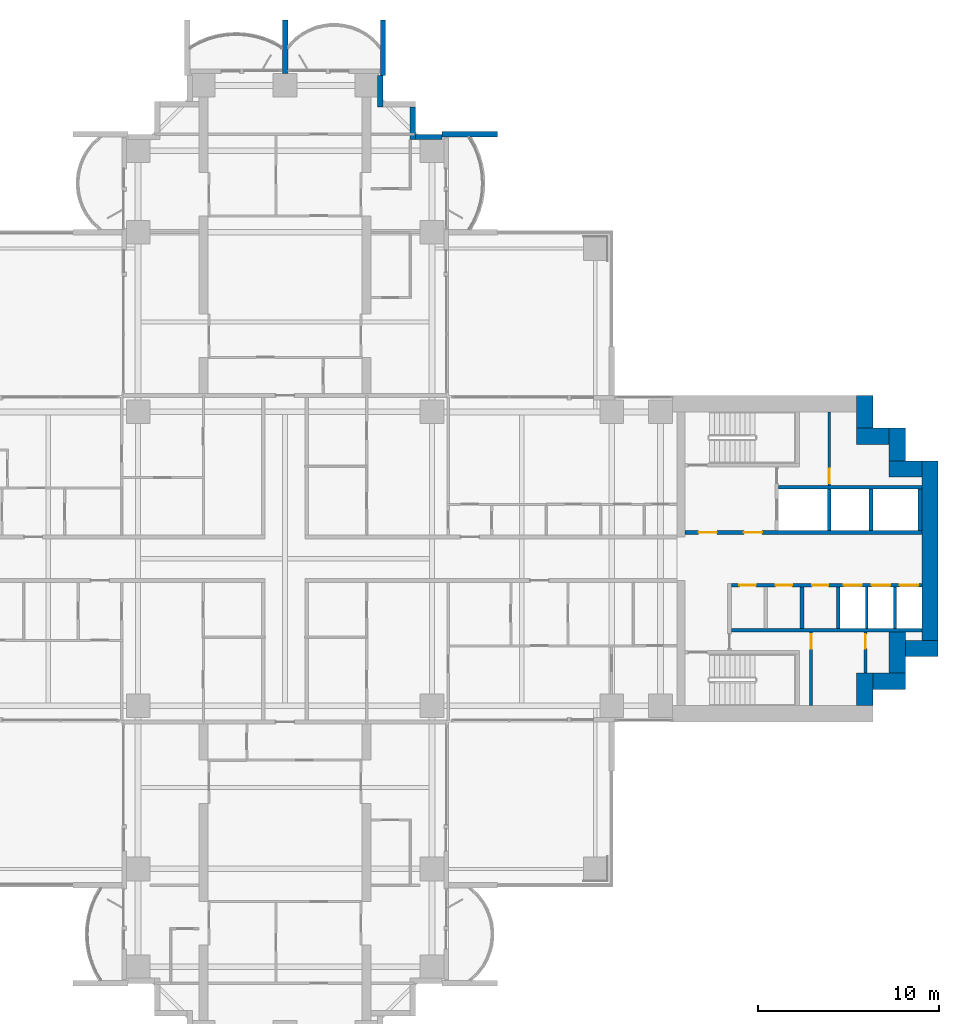
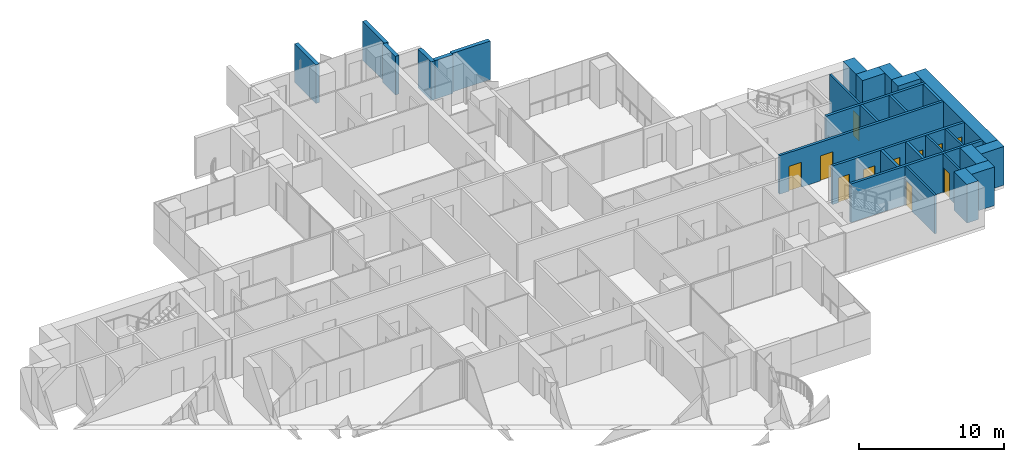
# One storey, part 16 of 21: 29 walls, 11 doors, 11 openings.
"""IFC4 building model written with IfcOpenShell, lengths in metres."""

from ifc_helpers import new_model, si_unit, direction, frame, frame_2d, origin, place, context, subcontext, project, spatial, rectangle, extrude, material, layer, layer_set, type_object, element, fill, save


model = new_model("IFC4")

# Units and contexts
model_context = context("Model", 3, precision=1e-05, world=origin(), true_north=direction((0.0, 1.0)))
body_context = subcontext(model_context, "Body", "Model", "MODEL_VIEW")
ifc_project = project(units=[si_unit("LENGTHUNIT", "METRE"), si_unit("AREAUNIT", "SQUARE_METRE"), si_unit("VOLUMEUNIT", "CUBIC_METRE"), si_unit("PLANEANGLEUNIT", "RADIAN"), si_unit("MASSUNIT", "GRAM", prefix="KILO")], contexts=[model_context])

# Site, building, storey
site_placement = place(None, origin())
site = spatial("IfcSite", under=ifc_project, at=site_placement, CompositionType="ELEMENT")
building_placement = place(site_placement, origin())
building = spatial("IfcBuilding", under=site, at=building_placement, Name="Perihelion Cross Residences", CompositionType="ELEMENT")
storey_placement = place(building_placement, frame((0.0, 0.0, 40.0)))
storey = spatial("IfcBuildingStorey", under=building, at=storey_placement, Name="L06", CompositionType="ELEMENT", Elevation=40.0)

# Walls
ifc_material_1 = material(Name="Concrete C30/37, bronze-clad", Category="concrete")
ifc_layer_1 = layer(ifc_material_1, 0.300048828125)
ifc_layer_set_1 = layer_set([ifc_layer_1], Name="Bronze-clad serration wall 300")
wall_type_1 = type_object("IfcWallType", Name="Bronze-clad serration wall 300", PredefinedType="SOLIDWALL", material=ifc_layer_set_1)
wall_1_placement = place(storey_placement, frame((8.64990234375, 23.25, 0.0), z_axis=(0.0, 0.0, 1.0), x_axis=(-1.0, 0.0, 0.0)))
element("IfcWall", 1, at=wall_1_placement, inside=storey, type_object=wall_type_1, Name="Wall SR1 L06 north corner north-east 1", PredefinedType="SOLIDWALL", context=body_context, shape_type="SweptSolid", body=[
    extrude(rectangle(XDim=1.449951171875, YDim=0.300048828125, at=frame_2d((0.72509765625, 0.0))), origin(), (0.0, 0.0, 1.0), 3.25),
])
wall_2_placement = place(storey_placement, frame((7.050048828125, 23.10009765625, 0.0), z_axis=(0.0, 0.0, 1.0), x_axis=(0.0, 1.0, 0.0)))
element("IfcWall", 2, at=wall_2_placement, inside=storey, type_object=wall_type_1, Name="Wall SR1 L06 north corner north-east 2", PredefinedType="SOLIDWALL", context=body_context, shape_type="SweptSolid", body=[
    extrude(rectangle(XDim=1.7998046875, YDim=0.300048828125, at=frame_2d((0.89990234375, 0.0))), origin(), (0.0, 0.0, 1.0), 3.25),
])
wall_3_placement = place(storey_placement, frame((5.25, 24.89990234375, 0.0), z_axis=(0.0, 0.0, 1.0), x_axis=(0.0, 1.0, 0.0)))
element("IfcWall", 3, at=wall_3_placement, inside=storey, type_object=wall_type_1, Name="Wall SR1 L06 north corner north-east 4", PredefinedType="SOLIDWALL", context=body_context, shape_type="SweptSolid", body=[
    extrude(rectangle(XDim=1.75, YDim=0.300048828125, at=frame_2d((0.875, 0.0))), origin(), (0.0, 0.0, 1.0), 3.25),
])
ifc_material_2 = material(Name="Concrete C60/75", Category="concrete")
ifc_layer_2 = layer(ifc_material_2, 0.89990234375)
ifc_layer_set_2 = layer_set([ifc_layer_2], Name="Core wall, outer 900")
wall_type_2 = type_object("IfcWallType", Name="Core wall, outer 900", PredefinedType="SHEAR", material=ifc_layer_set_2)
for number, where, z_axis, x_axis, name in (
    (4, (31.949951171875, -8.10009765625, 0.0), (0.0, 0.0, 1.0), (0.0, 1.0, 0.0), "East core core wall, outer"),
    (5, (32.39990234375, -6.75, 0.0), (0.0, 0.0, 1.0), (1.0, 0.0, 0.0), "East core core wall, outer"),
):
    element("IfcWall", number, at=place(storey_placement, frame(where, z_axis=z_axis, x_axis=x_axis)), inside=storey, type_object=wall_type_2, Name=name, PredefinedType="SHEAR", context=body_context, shape_type="SweptSolid", body=[
        extrude(rectangle(XDim=1.800048828125, YDim=0.89990234375, at=frame_2d((0.89990234375, 0.0))), origin(), (0.0, 0.0, 1.0), 3.25),
    ])
wall_4_placement = place(storey_placement, frame((33.75, -6.300048828125, 0.0), z_axis=(0.0, 0.0, 1.0), x_axis=(0.0, 1.0, 0.0)))
element("IfcWall", 6, at=wall_4_placement, inside=storey, type_object=wall_type_2, Name="East core core wall, outer", PredefinedType="SHEAR", context=body_context, shape_type="SweptSolid", body=[
    extrude(rectangle(XDim=2.25, YDim=0.89990234375, at=frame_2d((1.125, 0.0))), origin(), (0.0, 0.0, 1.0), 3.25),
])
wall_5_placement = place(storey_placement, frame((34.199951171875, -4.949951171875, 0.0), z_axis=(0.0, 0.0, 1.0), x_axis=(1.0, 0.0, 0.0)))
element("IfcWall", 7, at=wall_5_placement, inside=storey, type_object=wall_type_2, Name="East core core wall, outer", PredefinedType="SHEAR", context=body_context, shape_type="SweptSolid", body=[
    extrude(rectangle(XDim=1.800048828125, YDim=0.89990234375, at=frame_2d((0.89990234375, 0.0))), origin(), (0.0, 0.0, 1.0), 3.25),
])
wall_6_placement = place(storey_placement, frame((35.550048828125, -4.5, 0.0), z_axis=(0.0, 0.0, 1.0), x_axis=(0.0, 1.0, 0.0)))
element("IfcWall", 8, at=wall_6_placement, inside=storey, type_object=wall_type_2, Name="East core core wall, outer", PredefinedType="SHEAR", context=body_context, shape_type="SweptSolid", body=[
    extrude(rectangle(XDim=9.89990234375, YDim=0.89990234375, at=frame_2d((4.949951171875, 0.0))), origin(), (0.0, 0.0, 1.0), 3.25),
])
for number, where, z_axis, x_axis, name in (
    (9, (33.300048828125, 4.949951171875, 0.0), (0.0, 0.0, 1.0), (1.0, 0.0, 0.0), "East core core wall, outer"),
    (10, (33.75, 5.39990234375, 0.0), (0.0, 0.0, 1.0), (0.0, 1.0, 0.0), "East core core wall, outer"),
    (11, (31.5, 6.75, 0.0), (0.0, 0.0, 1.0), (1.0, 0.0, 0.0), "East core core wall, outer"),
    (12, (31.949951171875, 7.199951171875, 0.0), (0.0, 0.0, 1.0), (0.0, 1.0, 0.0), "East core core wall, outer"),
):
    element("IfcWall", number, at=place(storey_placement, frame(where, z_axis=z_axis, x_axis=x_axis)), inside=storey, type_object=wall_type_2, Name=name, PredefinedType="SHEAR", context=body_context, shape_type="SweptSolid", body=[
        extrude(rectangle(XDim=1.800048828125, YDim=0.89990234375, at=frame_2d((0.89990234375, 0.0))), origin(), (0.0, 0.0, 1.0), 3.25),
    ])
ifc_material_3 = material(Name="Precast concrete C50/60", Category="concrete")
ifc_layer_3 = layer(ifc_material_3, 0.300048828125)
ifc_layer_set_3 = layer_set([ifc_layer_3], Name="Precast concrete C50/60 blade wall 300")
wall_type_3 = type_object("IfcWallType", Name="Precast concrete C50/60 blade wall 300", PredefinedType="SOLIDWALL", material=ifc_layer_set_3)
wall_7_placement = place(storey_placement, frame((0.0, 26.75, 0.0), z_axis=(0.0, 0.0, 1.0), x_axis=(0.0, 1.0, 0.0)))
element("IfcWall", 13, at=wall_7_placement, inside=storey, type_object=wall_type_3, Name="Wall BL1 L06 no. 10", PredefinedType="SOLIDWALL", context=body_context, shape_type="SweptSolid", body=[
    extrude(rectangle(XDim=2.949951171875, YDim=0.300048828125, at=frame_2d((1.47509765625, 0.0))), origin(), (0.0, 0.0, 1.0), 3.25),
])
for number, where, z_axis, x_axis, name in (
    (14, (5.39990234375, 26.64990234375, 0.0), (0.0, 0.0, 1.0), (0.0, 1.0, 0.0), "Wall BL1 L06 no. 14"),
    (15, (8.64990234375, 23.39990234375, 0.0), (0.0, 0.0, 1.0), (1.0, 0.0, 0.0), "Wall BL1 L06 no. 18"),
):
    element("IfcWall", number, at=place(storey_placement, frame(where, z_axis=z_axis, x_axis=x_axis)), inside=storey, type_object=wall_type_3, Name=name, PredefinedType="SOLIDWALL", context=body_context, shape_type="SweptSolid", body=[
        extrude(rectangle(XDim=3.050048828125, YDim=0.300048828125, at=frame_2d((1.52490234375, 0.0))), origin(), (0.0, 0.0, 1.0), 3.25),
    ])

# Wall, opening, door
ifc_material_4 = material(Name="Fire-rated board on steel stud", Category="steel")
ifc_layer_4 = layer(ifc_material_4, 0.14990234375)
ifc_layer_set_4 = layer_set([ifc_layer_4], Name="Riser wall 150")
wall_type_4 = type_object("IfcWallType", Name="Riser wall 150", PredefinedType="PARTITIONING", material=ifc_layer_set_4)
wall_8_placement = place(storey_placement, frame((30.0, 4.050048828125, 0.0), z_axis=(0.0, 0.0, 1.0), x_axis=(0.0, 1.0, 0.0)))
wall_8 = element("IfcWall", 16, at=wall_8_placement, inside=storey, type_object=wall_type_4, Name="East core riser wall", PredefinedType="PARTITIONING", context=body_context, shape_type="SweptSolid", body=[
    extrude(rectangle(XDim=4.050048828125, YDim=0.14990234375, at=frame_2d((2.02490234375, 0.0))), origin(), (0.0, 0.0, 1.0), 3.25),
])
opening_1_placement = place(wall_8_placement, frame((0.10009765625, 0.0, 0.0)))
opening_1 = element("IfcOpeningElement", 17, at=opening_1_placement, cuts=wall_8, Name="Opening L06.C15", PredefinedType="OPENING", context=body_context, shape_type="SweptSolid", body=[
    extrude(rectangle(XDim=0.800048828125, YDim=2.10009765625, at=frame_2d((0.39990234375, 1.050048828125))), frame((0.0, 0.0849609375, 0.0), z_axis=(0.0, -1.0, 0.0), x_axis=(1.0, 0.0, 0.0)), (0.0, 0.0, 1.0), 0.169921875),
])
ifc_material_5 = material(Name="Steel, powder coated", Category="steel")
door_type_1 = type_object("IfcDoorType", Name="Riser door 800", OperationType="SINGLE_SWING_LEFT", PredefinedType="DOOR", material=ifc_material_5)
door_1_placement = place(opening_1_placement, origin())
door_1 = element("IfcDoor", 18, at=door_1_placement, inside=storey, type_object=door_type_1, Name="East core riser door", OperationType="SINGLE_SWING_LEFT", OverallHeight=2.10009765625, OverallWidth=0.800048828125, PredefinedType="DOOR", context=body_context, shape_type="SweptSolid", body=[
    extrude(rectangle(XDim=0.800048828125, YDim=2.10009765625, at=frame_2d((0.39990234375, 1.050048828125))), frame((0.0, 0.02490234375, 0.0), z_axis=(0.0, -1.0, 0.0), x_axis=(1.0, 0.0, 0.0)), (0.0, 0.0, 1.0), 0.050048828125),
])
fill(opening_1, door_1)

wall_9_placement = place(storey_placement, frame((29.0, -8.10009765625, 0.0), z_axis=(0.0, 0.0, 1.0), x_axis=(0.0, 1.0, 0.0)))
wall_9 = element("IfcWall", 19, at=wall_9_placement, inside=storey, type_object=wall_type_4, Name="East core riser wall", PredefinedType="PARTITIONING", context=body_context, shape_type="SweptSolid", body=[
    extrude(rectangle(XDim=4.050048828125, YDim=0.14990234375, at=frame_2d((2.02490234375, 0.0))), origin(), (0.0, 0.0, 1.0), 3.25),
])
opening_2_placement = place(wall_9_placement, frame((3.14990234375, 0.0, 0.0)))
opening_2 = element("IfcOpeningElement", 20, at=opening_2_placement, cuts=wall_9, Name="Opening L06.C13", PredefinedType="OPENING", context=body_context, shape_type="SweptSolid", body=[
    extrude(rectangle(XDim=0.800048828125, YDim=2.10009765625, at=frame_2d((0.39990234375, 1.050048828125))), frame((0.0, 0.0849609375, 0.0), z_axis=(0.0, -1.0, 0.0), x_axis=(1.0, 0.0, 0.0)), (0.0, 0.0, 1.0), 0.169921875),
])
door_2_placement = place(opening_2_placement, origin())
door_2 = element("IfcDoor", 21, at=door_2_placement, inside=storey, type_object=door_type_1, Name="East core riser door", OperationType="SINGLE_SWING_LEFT", OverallHeight=2.10009765625, OverallWidth=0.800048828125, PredefinedType="DOOR", context=body_context, shape_type="SweptSolid", body=[
    extrude(rectangle(XDim=0.800048828125, YDim=2.10009765625, at=frame_2d((0.39990234375, 1.050048828125))), frame((0.0, 0.02490234375, 0.0), z_axis=(0.0, -1.0, 0.0), x_axis=(1.0, 0.0, 0.0)), (0.0, 0.0, 1.0), 0.050048828125),
])
fill(opening_2, door_2)

wall_10_placement = place(storey_placement, frame((32.0, -6.300048828125, 0.0), z_axis=(0.0, 0.0, 1.0), x_axis=(0.0, 1.0, 0.0)))
wall_10 = element("IfcWall", 22, at=wall_10_placement, inside=storey, type_object=wall_type_4, Name="East core riser wall", PredefinedType="PARTITIONING", context=body_context, shape_type="SweptSolid", body=[
    extrude(rectangle(XDim=2.25, YDim=0.14990234375, at=frame_2d((1.125, 0.0))), origin(), (0.0, 0.0, 1.0), 3.25),
])
opening_3_placement = place(wall_10_placement, frame((1.35009765625, 0.0, 0.0)))
opening_3 = element("IfcOpeningElement", 23, at=opening_3_placement, cuts=wall_10, Name="Opening L06.C16", PredefinedType="OPENING", context=body_context, shape_type="SweptSolid", body=[
    extrude(rectangle(XDim=0.800048828125, YDim=2.10009765625, at=frame_2d((0.39990234375, 1.050048828125))), frame((0.0, 0.0849609375, 0.0), z_axis=(0.0, -1.0, 0.0), x_axis=(1.0, 0.0, 0.0)), (0.0, 0.0, 1.0), 0.169921875),
])
door_3_placement = place(opening_3_placement, origin())
door_3 = element("IfcDoor", 24, at=door_3_placement, inside=storey, type_object=door_type_1, Name="East core riser door", OperationType="SINGLE_SWING_LEFT", OverallHeight=2.10009765625, OverallWidth=0.800048828125, PredefinedType="DOOR", context=body_context, shape_type="SweptSolid", body=[
    extrude(rectangle(XDim=0.800048828125, YDim=2.10009765625, at=frame_2d((0.39990234375, 1.050048828125))), frame((0.0, 0.02490234375, 0.0), z_axis=(0.0, -1.0, 0.0), x_axis=(1.0, 0.0, 0.0)), (0.0, 0.0, 1.0), 0.050048828125),
])
fill(opening_3, door_3)

# Walls
ifc_material_6 = material(Name="Fire-rated board on steel stud", Category="steel")
ifc_layer_5 = layer(ifc_material_6, 0.199951171875)
ifc_layer_set_5 = layer_set([ifc_layer_5], Name="Riser wall 200")
wall_type_5 = type_object("IfcWallType", Name="Riser wall 200", PredefinedType="PARTITIONING", material=ifc_layer_set_5)
wall_11_placement = place(storey_placement, frame((28.5, -3.85009765625, 0.0), z_axis=(0.0, 0.0, 1.0), x_axis=(0.0, 1.0, 0.0)))
element("IfcWall", 25, at=wall_11_placement, inside=storey, type_object=wall_type_5, Name="East core riser wall", PredefinedType="PARTITIONING", context=body_context, shape_type="SweptSolid", body=[
    extrude(rectangle(XDim=2.300048828125, YDim=0.199951171875, at=frame_2d((1.14990234375, 0.0))), origin(), (0.0, 0.0, 1.0), 3.25),
])
ifc_material_7 = material(Name="Concrete C50/60", Category="concrete")
ifc_layer_6 = layer(ifc_material_7, 0.14990234375)
ifc_layer_set_6 = layer_set([ifc_layer_6], Name="Shaft wall 150")
wall_type_6 = type_object("IfcWallType", Name="Shaft wall 150", PredefinedType="SOLIDWALL", material=ifc_layer_set_6)
for number, where, z_axis, x_axis, name in (
    (26, (32.074951171875, -3.85009765625, 0.0), (0.0, 0.0, 1.0), (0.0, 1.0, 0.0), "East core shaft wall"),
    (27, (33.625, -3.85009765625, 0.0), (0.0, 0.0, 1.0), (0.0, 1.0, 0.0), "East core shaft wall"),
):
    element("IfcWall", number, at=place(storey_placement, frame(where, z_axis=z_axis, x_axis=x_axis)), inside=storey, type_object=wall_type_6, Name=name, PredefinedType="SOLIDWALL", context=body_context, shape_type="SweptSolid", body=[
        extrude(rectangle(XDim=2.300048828125, YDim=0.14990234375, at=frame_2d((1.14990234375, 0.0))), origin(), (0.0, 0.0, 1.0), 3.25),
    ])

# Wall, openings, doors
ifc_material_8 = material(Name="Concrete C50/60", Category="concrete")
ifc_layer_7 = layer(ifc_material_8, 0.199951171875)
ifc_layer_set_7 = layer_set([ifc_layer_7], Name="Shaft wall 200")
wall_type_7 = type_object("IfcWallType", Name="Shaft wall 200", PredefinedType="SOLIDWALL", material=ifc_layer_set_7)
wall_12_placement = place(storey_placement, frame((22.050048828125, 1.449951171875, 0.0), z_axis=(0.0, 0.0, 1.0), x_axis=(1.0, 0.0, 0.0)))
wall_12 = element("IfcWall", 28, at=wall_12_placement, inside=storey, type_object=wall_type_7, Name="East core shaft wall", PredefinedType="SOLIDWALL", context=body_context, shape_type="SweptSolid", body=[
    extrude(rectangle(XDim=13.050048828125, YDim=0.199951171875, at=frame_2d((6.52490234375, 0.0))), origin(), (0.0, 0.0, 1.0), 3.25),
])
opening_4_placement = place(wall_12_placement, frame((0.75, 0.0, 0.0)))
opening_4 = element("IfcOpeningElement", 29, at=opening_4_placement, cuts=wall_12, Name="Opening L06.C07", PredefinedType="OPENING", context=body_context, shape_type="SweptSolid", body=[
    extrude(rectangle(XDim=1.0, YDim=2.10009765625, at=frame_2d((0.5, 1.050048828125))), frame((0.0, 0.10986328125, 0.0), z_axis=(0.0, -1.0, 0.0), x_axis=(1.0, 0.0, 0.0)), (0.0, 0.0, 1.0), 0.219970703125),
])
opening_5_placement = place(wall_12_placement, frame((3.25, 0.0, 0.0)))
opening_5 = element("IfcOpeningElement", 30, at=opening_5_placement, cuts=wall_12, Name="Opening L06.C10", PredefinedType="OPENING", context=body_context, shape_type="SweptSolid", body=[
    extrude(rectangle(XDim=1.0, YDim=2.10009765625, at=frame_2d((0.5, 1.050048828125))), frame((0.0, 0.10986328125, 0.0), z_axis=(0.0, -1.0, 0.0), x_axis=(1.0, 0.0, 0.0)), (0.0, 0.0, 1.0), 0.219970703125),
])
ifc_material_9 = material(Name="Steel, powder coated", Category="steel")
door_type_2 = type_object("IfcDoorType", Name="Lobby door 1000", OperationType="SINGLE_SWING_LEFT", PredefinedType="DOOR", material=ifc_material_9)
door_4_placement = place(opening_4_placement, origin())
door_4 = element("IfcDoor", 31, at=door_4_placement, inside=storey, type_object=door_type_2, Name="East core firefighting lobby door", OperationType="SINGLE_SWING_LEFT", OverallHeight=2.10009765625, OverallWidth=1.0, PredefinedType="DOOR", context=body_context, shape_type="SweptSolid", body=[
    extrude(rectangle(XDim=1.0, YDim=2.10009765625, at=frame_2d((0.5, 1.050048828125))), frame((0.0, 0.02490234375, 0.0), z_axis=(0.0, -1.0, 0.0), x_axis=(1.0, 0.0, 0.0)), (0.0, 0.0, 1.0), 0.050048828125),
])
fill(opening_4, door_4)
door_5_placement = place(opening_5_placement, origin())
door_5 = element("IfcDoor", 32, at=door_5_placement, inside=storey, type_object=door_type_2, Name="East core firefighting lobby door", OperationType="SINGLE_SWING_LEFT", OverallHeight=2.10009765625, OverallWidth=1.0, PredefinedType="DOOR", context=body_context, shape_type="SweptSolid", body=[
    extrude(rectangle(XDim=1.0, YDim=2.10009765625, at=frame_2d((0.5, 1.050048828125))), frame((0.0, 0.02490234375, 0.0), z_axis=(0.0, -1.0, 0.0), x_axis=(1.0, 0.0, 0.0)), (0.0, 0.0, 1.0), 0.050048828125),
])
fill(opening_5, door_5)

wall_13_placement = place(storey_placement, frame((24.60009765625, -1.449951171875, 0.0), z_axis=(0.0, 0.0, 1.0), x_axis=(1.0, 0.0, 0.0)))
wall_13 = element("IfcWall", 33, at=wall_13_placement, inside=storey, type_object=wall_type_7, Name="East core shaft wall", PredefinedType="SOLIDWALL", context=body_context, shape_type="SweptSolid", body=[
    extrude(rectangle(XDim=10.5, YDim=0.199951171875, at=frame_2d((5.25, 0.0))), origin(), (0.0, 0.0, 1.0), 3.25),
])
opening_6_placement = place(wall_13_placement, frame((6.199951171875, 0.0, 0.0)))
opening_6 = element("IfcOpeningElement", 34, at=opening_6_placement, cuts=wall_13, Name="Opening L06.C02", PredefinedType="OPENING", context=body_context, shape_type="SweptSolid", body=[
    extrude(rectangle(XDim=1.0, YDim=2.10009765625, at=frame_2d((0.5, 1.050048828125))), frame((0.0, 0.10986328125, 0.0), z_axis=(0.0, -1.0, 0.0), x_axis=(1.0, 0.0, 0.0)), (0.0, 0.0, 1.0), 0.219970703125),
])
opening_7_placement = place(wall_13_placement, frame((7.75, 0.0, 0.0)))
opening_7 = element("IfcOpeningElement", 35, at=opening_7_placement, cuts=wall_13, Name="Opening L06.C03", PredefinedType="OPENING", context=body_context, shape_type="SweptSolid", body=[
    extrude(rectangle(XDim=1.0, YDim=2.10009765625, at=frame_2d((0.5, 1.050048828125))), frame((0.0, 0.10986328125, 0.0), z_axis=(0.0, -1.0, 0.0), x_axis=(1.0, 0.0, 0.0)), (0.0, 0.0, 1.0), 0.219970703125),
])
opening_8_placement = place(wall_13_placement, frame((9.300048828125, 0.0, 0.0)))
opening_8 = element("IfcOpeningElement", 36, at=opening_8_placement, cuts=wall_13, Name="Opening L06.C04", PredefinedType="OPENING", context=body_context, shape_type="SweptSolid", body=[
    extrude(rectangle(XDim=1.0, YDim=2.10009765625, at=frame_2d((0.5, 1.050048828125))), frame((0.0, 0.10986328125, 0.0), z_axis=(0.0, -1.0, 0.0), x_axis=(1.0, 0.0, 0.0)), (0.0, 0.0, 1.0), 0.219970703125),
])
opening_9_placement = place(wall_13_placement, frame((0.449951171875, 0.0, 0.0)))
opening_9 = element("IfcOpeningElement", 37, at=opening_9_placement, cuts=wall_13, Name="Opening L06.C09", PredefinedType="OPENING", context=body_context, shape_type="SweptSolid", body=[
    extrude(rectangle(XDim=0.89990234375, YDim=2.10009765625, at=frame_2d((0.449951171875, 1.050048828125))), frame((0.0, 0.10986328125, 0.0), z_axis=(0.0, -1.0, 0.0), x_axis=(1.0, 0.0, 0.0)), (0.0, 0.0, 1.0), 0.219970703125),
])
opening_10_placement = place(wall_13_placement, frame((2.449951171875, 0.0, 0.0)))
opening_10 = element("IfcOpeningElement", 38, at=opening_10_placement, cuts=wall_13, Name="Opening L06.C12", PredefinedType="OPENING", context=body_context, shape_type="SweptSolid", body=[
    extrude(rectangle(XDim=0.89990234375, YDim=2.10009765625, at=frame_2d((0.449951171875, 1.050048828125))), frame((0.0, 0.10986328125, 0.0), z_axis=(0.0, -1.0, 0.0), x_axis=(1.0, 0.0, 0.0)), (0.0, 0.0, 1.0), 0.219970703125),
])
opening_11_placement = place(wall_13_placement, frame((4.449951171875, 0.0, 0.0)))
opening_11 = element("IfcOpeningElement", 39, at=opening_11_placement, cuts=wall_13, Name="Opening L06.C14", PredefinedType="OPENING", context=body_context, shape_type="SweptSolid", body=[
    extrude(rectangle(XDim=0.89990234375, YDim=2.10009765625, at=frame_2d((0.449951171875, 1.050048828125))), frame((0.0, 0.10986328125, 0.0), z_axis=(0.0, -1.0, 0.0), x_axis=(1.0, 0.0, 0.0)), (0.0, 0.0, 1.0), 0.219970703125),
])
ifc_material_10 = material(Name="Stainless steel", Category="steel")
door_type_3 = type_object("IfcDoorType", Name="Landing door 1000", OperationType="DOUBLE_DOOR_SLIDING", PredefinedType="DOOR", material=ifc_material_10)
door_6_placement = place(opening_6_placement, origin())
door_6 = element("IfcDoor", 40, at=door_6_placement, inside=storey, type_object=door_type_3, Name="Landing door, East core low-rise lift 1", OperationType="DOUBLE_DOOR_SLIDING", OverallHeight=2.10009765625, OverallWidth=1.0, PredefinedType="DOOR", context=body_context, shape_type="SweptSolid", body=[
    extrude(rectangle(XDim=1.0, YDim=2.10009765625, at=frame_2d((0.5, 1.050048828125))), frame((0.0, 0.02490234375, 0.0), z_axis=(0.0, -1.0, 0.0), x_axis=(1.0, 0.0, 0.0)), (0.0, 0.0, 1.0), 0.050048828125),
])
fill(opening_6, door_6)
door_7_placement = place(opening_7_placement, origin())
door_7 = element("IfcDoor", 41, at=door_7_placement, inside=storey, type_object=door_type_3, Name="Landing door, East core low-rise lift 2", OperationType="DOUBLE_DOOR_SLIDING", OverallHeight=2.10009765625, OverallWidth=1.0, PredefinedType="DOOR", context=body_context, shape_type="SweptSolid", body=[
    extrude(rectangle(XDim=1.0, YDim=2.10009765625, at=frame_2d((0.5, 1.050048828125))), frame((0.0, 0.02490234375, 0.0), z_axis=(0.0, -1.0, 0.0), x_axis=(1.0, 0.0, 0.0)), (0.0, 0.0, 1.0), 0.050048828125),
])
fill(opening_7, door_7)
door_8_placement = place(opening_8_placement, origin())
door_8 = element("IfcDoor", 42, at=door_8_placement, inside=storey, type_object=door_type_3, Name="Landing door, East core low-rise lift 3", OperationType="DOUBLE_DOOR_SLIDING", OverallHeight=2.10009765625, OverallWidth=1.0, PredefinedType="DOOR", context=body_context, shape_type="SweptSolid", body=[
    extrude(rectangle(XDim=1.0, YDim=2.10009765625, at=frame_2d((0.5, 1.050048828125))), frame((0.0, 0.02490234375, 0.0), z_axis=(0.0, -1.0, 0.0), x_axis=(1.0, 0.0, 0.0)), (0.0, 0.0, 1.0), 0.050048828125),
])
fill(opening_8, door_8)
ifc_material_11 = material(Name="Steel, powder coated", Category="steel")
door_type_4 = type_object("IfcDoorType", Name="Service room door 900", OperationType="SINGLE_SWING_LEFT", PredefinedType="DOOR", material=ifc_material_11)
door_9_placement = place(opening_9_placement, origin())
door_9 = element("IfcDoor", 43, at=door_9_placement, inside=storey, type_object=door_type_4, Name="East core service room door", OperationType="SINGLE_SWING_LEFT", OverallHeight=2.10009765625, OverallWidth=0.89990234375, PredefinedType="DOOR", context=body_context, shape_type="SweptSolid", body=[
    extrude(rectangle(XDim=0.89990234375, YDim=2.10009765625, at=frame_2d((0.449951171875, 1.050048828125))), frame((0.0, 0.02490234375, 0.0), z_axis=(0.0, -1.0, 0.0), x_axis=(1.0, 0.0, 0.0)), (0.0, 0.0, 1.0), 0.050048828125),
])
fill(opening_9, door_9)
door_10_placement = place(opening_10_placement, origin())
door_10 = element("IfcDoor", 44, at=door_10_placement, inside=storey, type_object=door_type_4, Name="East core service room door", OperationType="SINGLE_SWING_LEFT", OverallHeight=2.10009765625, OverallWidth=0.89990234375, PredefinedType="DOOR", context=body_context, shape_type="SweptSolid", body=[
    extrude(rectangle(XDim=0.89990234375, YDim=2.10009765625, at=frame_2d((0.449951171875, 1.050048828125))), frame((0.0, 0.02490234375, 0.0), z_axis=(0.0, -1.0, 0.0), x_axis=(1.0, 0.0, 0.0)), (0.0, 0.0, 1.0), 0.050048828125),
])
fill(opening_10, door_10)
door_11_placement = place(opening_11_placement, origin())
door_11 = element("IfcDoor", 45, at=door_11_placement, inside=storey, type_object=door_type_4, Name="East core service room door", OperationType="SINGLE_SWING_LEFT", OverallHeight=2.10009765625, OverallWidth=0.89990234375, PredefinedType="DOOR", context=body_context, shape_type="SweptSolid", body=[
    extrude(rectangle(XDim=0.89990234375, YDim=2.10009765625, at=frame_2d((0.449951171875, 1.050048828125))), frame((0.0, 0.02490234375, 0.0), z_axis=(0.0, -1.0, 0.0), x_axis=(1.0, 0.0, 0.0)), (0.0, 0.0, 1.0), 0.050048828125),
])
fill(opening_11, door_11)

# Walls
wall_14_placement = place(storey_placement, frame((27.199951171875, 3.949951171875, 0.0), z_axis=(0.0, 0.0, 1.0), x_axis=(1.0, 0.0, 0.0)))
element("IfcWall", 46, at=wall_14_placement, inside=storey, type_object=wall_type_7, Name="East core shaft wall", PredefinedType="SOLIDWALL", context=body_context, shape_type="SweptSolid", body=[
    extrude(rectangle(XDim=7.900146484375, YDim=0.199951171875, at=frame_2d((3.9501953125, 0.0))), origin(), (0.0, 0.0, 1.0), 3.25),
])
wall_15_placement = place(storey_placement, frame((24.60009765625, -3.949951171875, 0.0), z_axis=(0.0, 0.0, 1.0), x_axis=(1.0, 0.0, 0.0)))
element("IfcWall", 47, at=wall_15_placement, inside=storey, type_object=wall_type_7, Name="East core shaft wall", PredefinedType="SOLIDWALL", context=body_context, shape_type="SweptSolid", body=[
    extrude(rectangle(XDim=10.5, YDim=0.199951171875, at=frame_2d((5.25, 0.0))), origin(), (0.0, 0.0, 1.0), 3.25),
])
for number, where, z_axis, x_axis, name in (
    (48, (30.0, 1.550048828125, 0.0), (0.0, 0.0, 1.0), (0.0, 1.0, 0.0), "East core shaft wall"),
    (49, (32.300048828125, 1.550048828125, 0.0), (0.0, 0.0, 1.0), (0.0, 1.0, 0.0), "East core shaft wall"),
    (50, (35.0, 1.550048828125, 0.0), (0.0, 0.0, 1.0), (0.0, 1.0, 0.0), "East core shaft wall"),
    (51, (30.5, -3.85009765625, 0.0), (0.0, 0.0, 1.0), (0.0, 1.0, 0.0), "East core shaft wall"),
):
    element("IfcWall", number, at=place(storey_placement, frame(where, z_axis=z_axis, x_axis=x_axis)), inside=storey, type_object=wall_type_7, Name=name, PredefinedType="SOLIDWALL", context=body_context, shape_type="SweptSolid", body=[
        extrude(rectangle(XDim=2.300048828125, YDim=0.199951171875, at=frame_2d((1.14990234375, 0.0))), origin(), (0.0, 0.0, 1.0), 3.25),
    ])

save(model, "model.ifc")
